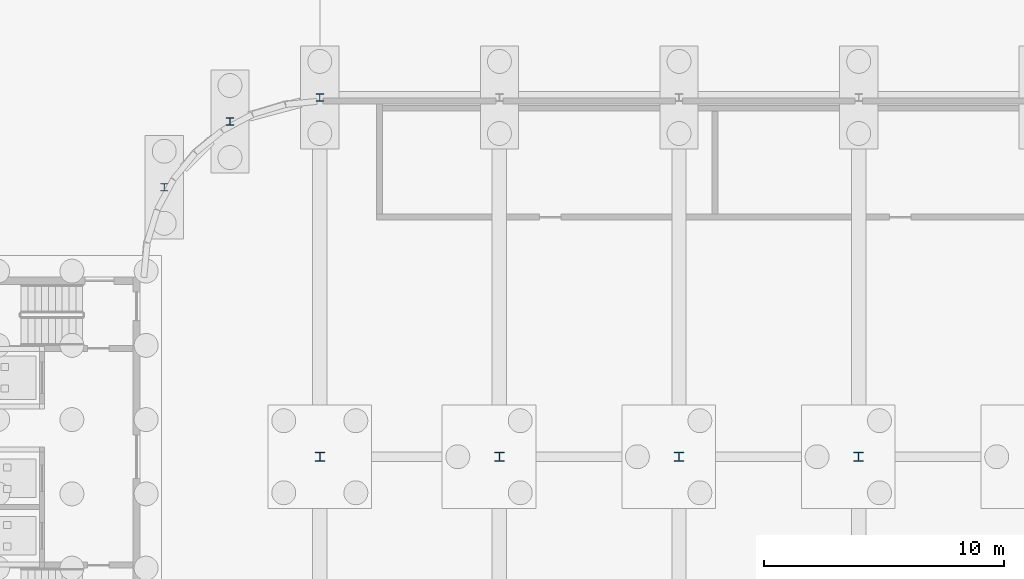
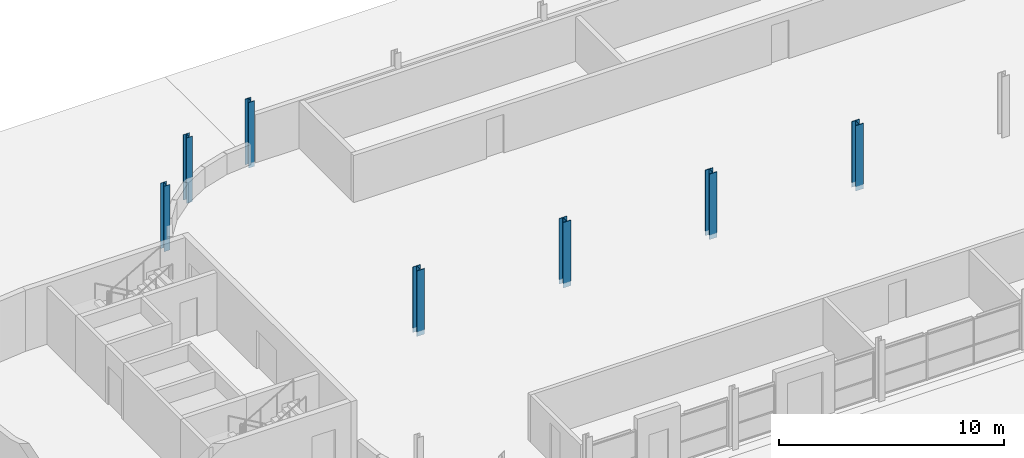
# One storey, part 37 of 130: 7 columns.
"""IFC4 building model written with IfcOpenShell, lengths in metres."""

from ifc_helpers import new_model, si_unit, direction, frame, origin, origin_2d, place, context, subcontext, project, spatial, i_section, extrude, material, material_profile, profile_set, type_object, element, save


model = new_model("IFC4")

# Units and contexts
model_context = context("Model", 3, precision=1e-05, world=origin(), true_north=direction((0.0, 1.0)))
body_context = subcontext(model_context, "Body", "Model", "MODEL_VIEW")
ifc_project = project(units=[si_unit("LENGTHUNIT", "METRE"), si_unit("AREAUNIT", "SQUARE_METRE"), si_unit("VOLUMEUNIT", "CUBIC_METRE"), si_unit("PLANEANGLEUNIT", "RADIAN"), si_unit("MASSUNIT", "GRAM", prefix="KILO")], contexts=[model_context])

# Site, building, storey
site_placement = place(None, origin())
site = spatial("IfcSite", under=ifc_project, at=site_placement, CompositionType="ELEMENT")
building_placement = place(site_placement, origin())
building = spatial("IfcBuilding", under=site, at=building_placement, Name="Parallax Yard Mobility Hub", CompositionType="ELEMENT")
storey_placement = place(building_placement, origin())
storey = spatial("IfcBuildingStorey", under=building, at=storey_placement, Name="L00", CompositionType="ELEMENT", Elevation=0.0)

# Columns
ifc_material = material(Name="Steel ASTM A992", Category="steel")
ifc_material_profile_1 = material_profile(ifc_material, i_section(OverallWidth=0.31005859375, OverallDepth=0.327880859375, WebThickness=0.015380859375, FlangeThickness=0.025146484375, FilletRadius=0.015380859375, at=origin_2d()), Name="W310x158")
ifc_profile_set_1 = profile_set([ifc_material_profile_1], Name="Steel ASTM A992")
column_type_1 = type_object("IfcColumnType", Name="W310x158 column", PredefinedType="COLUMN", material=ifc_profile_set_1)
column_placement = place(storey_placement, frame((30.0, 142.5, -0.25), z_axis=(0.0, 0.0, 1.0), x_axis=(1.0, 0.0, 0.0)))
element("IfcColumn", 1, at=column_placement, inside=storey, type_object=column_type_1, Name="Column C6 level L00 at V/5 of ramped parking decks", PredefinedType="COLUMN", context=body_context, shape_type="SweptSolid", body=[
    extrude(i_section(OverallWidth=0.31005859375, OverallDepth=0.327880859375, WebThickness=0.015380859375, FlangeThickness=0.025146484375, FilletRadius=0.015380859375, at=origin_2d()), origin(), (0.0, 0.0, 1.0), 3.550048828125),
])
ifc_material_profile_2 = material_profile(ifc_material, i_section(OverallWidth=0.304931640625, OverallDepth=0.306884765625, WebThickness=0.010009765625, FlangeThickness=0.015380859375, FilletRadius=0.01513671875, at=origin_2d()), Name="W310x97")
ifc_profile_set_2 = profile_set([ifc_material_profile_2], Name="Steel ASTM A992")
column_type_2 = type_object("IfcColumnType", Name="W310x97 column", PredefinedType="COLUMN", material=ifc_profile_set_2)
for number, where, z_axis, x_axis, name in (
    (2, (26.25, 141.4951171875, -0.25), (0.0, 0.0, 1.0), (1.0, 0.0, 0.0), "Column C1 level L00 at W-N1 of ramped parking decks"),
    (3, (23.5048828125, 138.75, -0.25), (0.0, 0.0, 1.0), (1.0, 0.0, 0.0), "Column C1 level L00 at W-N2 of ramped parking decks"),
):
    element("IfcColumn", number, at=place(storey_placement, frame(where, z_axis=z_axis, x_axis=x_axis)), inside=storey, type_object=column_type_2, Name=name, PredefinedType="COLUMN", context=body_context, shape_type="SweptSolid", body=[
        extrude(i_section(OverallWidth=0.304931640625, OverallDepth=0.306884765625, WebThickness=0.010009765625, FlangeThickness=0.015380859375, FilletRadius=0.01513671875, at=origin_2d()), origin(), (0.0, 0.0, 1.0), 3.550048828125),
    ])
ifc_material_profile_3 = material_profile(ifc_material, i_section(OverallWidth=0.39599609375, OverallDepth=0.381103515625, WebThickness=0.018798828125, FlangeThickness=0.0302734375, FilletRadius=0.015380859375, at=origin_2d()), Name="W360x237")
ifc_profile_set_3 = profile_set([ifc_material_profile_3], Name="Steel ASTM A992")
column_type_3 = type_object("IfcColumnType", Name="W360x237 column", PredefinedType="COLUMN", material=ifc_profile_set_3)
for number, where, z_axis, x_axis, name in (
    (4, (30.0, 127.5, -0.25), (0.0, 0.0, 1.0), (1.0, 0.0, 0.0), "Column C10 level L00 at T/5 of ramped parking decks"),
    (5, (37.5, 127.5, -0.25), (0.0, 0.0, 1.0), (1.0, 0.0, 0.0), "Column C10 level L00 at T/6 of ramped parking decks"),
    (6, (45.0, 127.5, -0.25), (0.0, 0.0, 1.0), (1.0, 0.0, 0.0), "Column C10 level L00 at T/7 of ramped parking decks"),
    (7, (52.5, 127.5, -0.25), (0.0, 0.0, 1.0), (1.0, 0.0, 0.0), "Column C10 level L00 at T/8 of ramped parking decks"),
):
    element("IfcColumn", number, at=place(storey_placement, frame(where, z_axis=z_axis, x_axis=x_axis)), inside=storey, type_object=column_type_3, Name=name, PredefinedType="COLUMN", context=body_context, shape_type="SweptSolid", body=[
        extrude(i_section(OverallWidth=0.39599609375, OverallDepth=0.381103515625, WebThickness=0.018798828125, FlangeThickness=0.0302734375, FilletRadius=0.015380859375, at=origin_2d()), origin(), (0.0, 0.0, 1.0), 3.550048828125),
    ])

save(model, "model.ifc")
